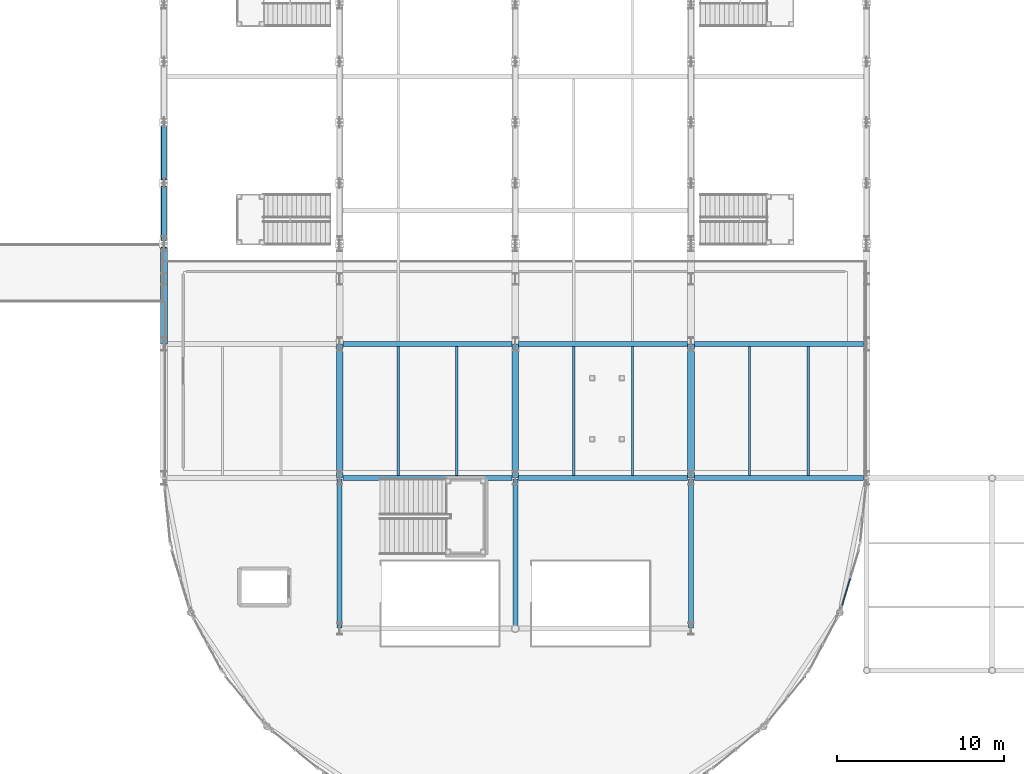
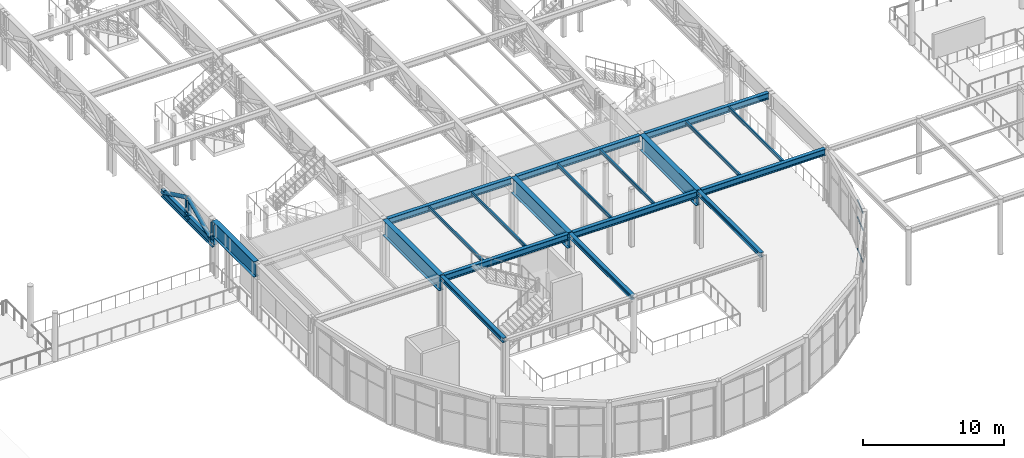
# One storey, part 33 of 143: 19 beams, 9 members, 1 element without a shape of its own.
"""IFC4 building model written with IfcOpenShell, lengths in metres."""

from ifc_helpers import new_model, si_unit, direction, frame, origin, origin_2d, place, context, subcontext, project, spatial, hollow_rectangle, hollow_circle, i_section, extrude, material, layer, layer_set, material_profile, profile_set, type_object, element, aggregate, save


model = new_model("IFC4")

# Units and contexts
model_context = context("Model", 3, precision=1e-05, world=origin(), true_north=direction((0.0, 1.0)))
body_context = subcontext(model_context, "Body", "Model", "MODEL_VIEW")
ifc_project = project(units=[si_unit("LENGTHUNIT", "METRE"), si_unit("AREAUNIT", "SQUARE_METRE"), si_unit("VOLUMEUNIT", "CUBIC_METRE"), si_unit("PLANEANGLEUNIT", "RADIAN"), si_unit("MASSUNIT", "GRAM", prefix="KILO")], contexts=[model_context])

# Site, building, storey
site_placement = place(None, origin())
site = spatial("IfcSite", under=ifc_project, at=site_placement, CompositionType="ELEMENT")
building_placement = place(site_placement, origin())
building = spatial("IfcBuilding", under=site, at=building_placement, Name="Marlcrest Central Station", CompositionType="ELEMENT")
storey_placement = place(building_placement, frame((0.0, 0.0, 4.800048828125)))
storey = spatial("IfcBuildingStorey", under=building, at=storey_placement, Name="L01", CompositionType="ELEMENT", Elevation=4.800048828125)

# Beams
ifc_material_1 = material(Name="Steel S355", Category="steel")
ifc_material_profile_1 = material_profile(ifc_material_1, i_section(OverallWidth=0.300048828125, OverallDepth=0.389892578125, WebThickness=0.010986328125, FlangeThickness=0.01904296875, FilletRadius=0.027099609375, at=origin_2d()), Name="HEA 400")
ifc_profile_set_1 = profile_set([ifc_material_profile_1], Name="Steel S355")
beam_type_1 = type_object("IfcBeamType", Name="BM-08", PredefinedType="BEAM", material=ifc_profile_set_1)
for number, where, z_axis, x_axis, name in (
    (1, (97.5, 13.550048828125, 4.619873046875), (0.0, 1.0, 0.0), (-1.0, 0.0, 0.0), "bm-BM-08-L01-01367"),
    (2, (108.0, 13.550048828125, 4.619873046875), (0.0, 1.0, 0.0), (-1.0, 0.0, 0.0), "bm-BM-08-L01-01368"),
    (3, (118.5, 13.550048828125, 4.619873046875), (0.0, 1.0, 0.0), (-1.0, 0.0, 0.0), "bm-BM-08-L01-01369"),
):
    element("IfcBeam", number, at=place(storey_placement, frame(where, z_axis=z_axis, x_axis=x_axis)), inside=storey, type_object=beam_type_1, Name=name, PredefinedType="BEAM", context=body_context, shape_type="SweptSolid", body=[
        extrude(i_section(OverallWidth=0.300048828125, OverallDepth=0.389892578125, WebThickness=0.010986328125, FlangeThickness=0.01904296875, FilletRadius=0.027099609375, at=origin_2d()), origin(), (0.0, 0.0, 1.0), 8.89990234375),
    ])
ifc_material_profile_2 = material_profile(ifc_material_1, i_section(OverallWidth=0.300048828125, OverallDepth=0.550048828125, WebThickness=0.014892578125, FlangeThickness=0.029052734375, FilletRadius=0.027099609375, at=origin_2d()), Name="HEB 550")
ifc_profile_set_2 = profile_set([ifc_material_profile_2], Name="Steel S355")
beam_type_2 = type_object("IfcBeamType", Name="BM-11", PredefinedType="BEAM", material=ifc_profile_set_2)
for number, where, z_axis, x_axis, name in (
    (4, (97.695068359375, 22.5, 4.5400390625), (1.0, 0.0, 0.0), (0.0, 1.0, 0.0), "bm-BM-11-L01-01164"),
    (5, (108.195068359375, 22.5, 4.5400390625), (1.0, 0.0, 0.0), (0.0, 1.0, 0.0), "bm-BM-11-L01-01165"),
    (6, (118.695068359375, 22.5, 4.5400390625), (1.0, 0.0, 0.0), (0.0, 1.0, 0.0), "bm-BM-11-L01-01166"),
    (7, (97.695068359375, 30.5, 4.5400390625), (1.0, 0.0, 0.0), (0.0, 1.0, 0.0), "bm-BM-11-L01-01171"),
    (8, (108.195068359375, 30.5, 4.5400390625), (1.0, 0.0, 0.0), (0.0, 1.0, 0.0), "bm-BM-11-L01-01172"),
    (9, (118.695068359375, 30.5, 4.5400390625), (1.0, 0.0, 0.0), (0.0, 1.0, 0.0), "bm-BM-11-L01-01173"),
):
    element("IfcBeam", number, at=place(storey_placement, frame(where, z_axis=z_axis, x_axis=x_axis)), inside=storey, type_object=beam_type_2, Name=name, PredefinedType="BEAM", context=body_context, shape_type="SweptSolid", body=[
        extrude(i_section(OverallWidth=0.300048828125, OverallDepth=0.550048828125, WebThickness=0.014892578125, FlangeThickness=0.029052734375, FilletRadius=0.027099609375, at=origin_2d()), origin(), (0.0, 0.0, 1.0), 10.10986328125),
    ])
ifc_material_profile_3 = material_profile(ifc_material_1, i_section(OverallWidth=0.135009765625, OverallDepth=0.27001953125, WebThickness=0.006591796875, FlangeThickness=0.01025390625, FilletRadius=0.014892578125, at=origin_2d()), Name="IPE 270")
ifc_profile_set_3 = profile_set([ifc_material_profile_3], Name="Steel S355")
beam_type_3 = type_object("IfcBeamType", Name="JS-04", PredefinedType="JOIST", material=ifc_profile_set_3)
for number, where, z_axis, x_axis, name in (
    (10, (101.0, 22.64794921875, 4.679931640625), (0.0, 1.0, 0.0), (-1.0, 0.0, 0.0), "bm-JS-04-L01-01240"),
    (11, (104.5, 22.64794921875, 4.679931640625), (0.0, 1.0, 0.0), (-1.0, 0.0, 0.0), "bm-JS-04-L01-01241"),
    (12, (111.5, 22.64794921875, 4.679931640625), (0.0, 1.0, 0.0), (-1.0, 0.0, 0.0), "bm-JS-04-L01-01242"),
    (13, (115.0, 22.64794921875, 4.679931640625), (0.0, 1.0, 0.0), (-1.0, 0.0, 0.0), "bm-JS-04-L01-01243"),
    (14, (122.0, 22.64794921875, 4.679931640625), (0.0, 1.0, 0.0), (-1.0, 0.0, 0.0), "bm-JS-04-L01-01244"),
    (15, (125.5, 22.64794921875, 4.679931640625), (0.0, 1.0, 0.0), (-1.0, 0.0, 0.0), "bm-JS-04-L01-01245"),
):
    element("IfcBeam", number, at=place(storey_placement, frame(where, z_axis=z_axis, x_axis=x_axis)), inside=storey, type_object=beam_type_3, Name=name, PredefinedType="JOIST", context=body_context, shape_type="SweptSolid", body=[
        extrude(i_section(OverallWidth=0.135009765625, OverallDepth=0.27001953125, WebThickness=0.006591796875, FlangeThickness=0.01025390625, FilletRadius=0.014892578125, at=origin_2d()), origin(), (0.0, 0.0, 1.0), 7.7041015625),
    ])

# Members
ifc_material_profile_4 = material_profile(ifc_material_1, i_section(OverallWidth=0.300048828125, OverallDepth=0.64990234375, WebThickness=0.01611328125, FlangeThickness=0.031005859375, FilletRadius=0.027099609375, at=origin_2d()), Name="HEB 650")
ifc_profile_set_4 = profile_set([ifc_material_profile_4], Name="Steel S355")
member_type_1 = type_object("IfcMemberType", Name="TC-01", PredefinedType="CHORD", material=ifc_profile_set_4)
for number, where, z_axis, x_axis, name in (
    (16, (87.0, 36.5, 2.744873046875), (0.0, 1.0, 0.0), (-1.0, 0.0, 0.0), "mem-TC-01-L01-02119"),
    (17, (87.0, 40.125, 2.744873046875), (0.0, 1.0, 0.0), (-1.0, 0.0, 0.0), "mem-TC-01-L01-02122"),
):
    element("IfcMember", number, at=place(storey_placement, frame(where, z_axis=z_axis, x_axis=x_axis)), inside=storey, type_object=member_type_1, Name=name, PredefinedType="CHORD", context=body_context, shape_type="SweptSolid", body=[
        extrude(i_section(OverallWidth=0.300048828125, OverallDepth=0.64990234375, WebThickness=0.01611328125, FlangeThickness=0.031005859375, FilletRadius=0.027099609375, at=origin_2d()), origin(), (0.0, 0.0, 1.0), 3.625),
    ])
ifc_material_profile_5 = material_profile(ifc_material_1, hollow_circle(Radius=0.161865234375, WallThickness=0.01611328125, at=origin_2d()), Name="CHS 323.9x16")
ifc_profile_set_5 = profile_set([ifc_material_profile_5], Name="Steel S355")
member_type_2 = type_object("IfcMemberType", Name="TD-01", PredefinedType="BRACE", material=ifc_profile_set_5)
for number, where, z_axis, x_axis, name in (
    (18, (87.0, 36.5, 2.744873046875), (0.0, 0.900551636365, 0.434749065831), (-1.0, 0.0, 0.0), "mem-TD-01-L01-02121"),
    (19, (87.0, 40.125, 4.494873046875), (0.0, 0.900551636365, -0.434749065831), (-1.0, 0.0, 0.0), "mem-TD-01-L01-02124"),
):
    element("IfcMember", number, at=place(storey_placement, frame(where, z_axis=z_axis, x_axis=x_axis)), inside=storey, type_object=member_type_2, Name=name, PredefinedType="BRACE", context=body_context, shape_type="SweptSolid", body=[
        extrude(hollow_circle(Radius=0.161865234375, WallThickness=0.01611328125, at=origin_2d()), origin(), (0.0, 0.0, 1.0), 4.025390625),
    ])

# Beams
ifc_material_profile_6 = material_profile(ifc_material_1, i_section(OverallWidth=0.39990234375, OverallDepth=1.35009765625, WebThickness=0.02197265625, FlangeThickness=0.034912109375, at=origin_2d()), Name="PG 1350x400")
ifc_profile_set_6 = profile_set([ifc_material_profile_6], Name="Steel S355")
beam_type_4 = type_object("IfcBeamType", Name="TG-01", PredefinedType="USERDEFINED", material=ifc_profile_set_6)
for number, where, z_axis, x_axis, name in (
    (20, (97.5, 22.52001953125, 4.139892578125), (0.0, 1.0, 0.0), (-1.0, 0.0, 0.0), "bm-TG-01-L01-01233"),
    (21, (108.0, 22.52001953125, 4.139892578125), (0.0, 1.0, 0.0), (-1.0, 0.0, 0.0), "bm-TG-01-L01-01234"),
    (22, (118.5, 22.52001953125, 4.139892578125), (0.0, 1.0, 0.0), (-1.0, 0.0, 0.0), "bm-TG-01-L01-01235"),
):
    element("IfcBeam", number, at=place(storey_placement, frame(where, z_axis=z_axis, x_axis=x_axis)), inside=storey, type_object=beam_type_4, Name=name, ObjectType="TRANSFER_GIRDER", PredefinedType="USERDEFINED", context=body_context, shape_type="SweptSolid", body=[
        extrude(i_section(OverallWidth=0.39990234375, OverallDepth=1.35009765625, WebThickness=0.02197265625, FlangeThickness=0.034912109375, at=origin_2d()), origin(), (0.0, 0.0, 1.0), 7.9599609375),
    ])
beam_placement = place(storey_placement, frame((87.0, 30.52001953125, 4.139892578125), z_axis=(0.0, 1.0, 0.0), x_axis=(-1.0, 0.0, 0.0)))
element("IfcBeam", 23, at=beam_placement, inside=storey, type_object=beam_type_4, Name="bm-TG-01-L01-01246", ObjectType="TRANSFER_GIRDER", PredefinedType="USERDEFINED", context=body_context, shape_type="SweptSolid", body=[
    extrude(i_section(OverallWidth=0.39990234375, OverallDepth=1.35009765625, WebThickness=0.02197265625, FlangeThickness=0.034912109375, at=origin_2d()), origin(), (0.0, 0.0, 1.0), 5.8798828125),
])

# Members
ifc_material_profile_7 = material_profile(ifc_material_1, i_section(OverallWidth=0.300048828125, OverallDepth=0.449951171875, WebThickness=0.013916015625, FlangeThickness=0.02587890625, FilletRadius=0.027099609375, at=origin_2d()), Name="HEB 450")
ifc_profile_set_7 = profile_set([ifc_material_profile_7], Name="Steel S355")
member_type_3 = type_object("IfcMemberType", Name="TP-01", PredefinedType="POST", material=ifc_profile_set_7)
for number, where, z_axis, x_axis, name in (
    (24, (87.0, 36.5, 2.744873046875), (0.0, 0.0, 1.0), (1.0, 0.0, 0.0), "mem-TP-01-L01-02120"),
    (25, (87.0, 40.125, 2.744873046875), (0.0, 0.0, 1.0), (1.0, 0.0, 0.0), "mem-TP-01-L01-02123"),
):
    element("IfcMember", number, at=place(storey_placement, frame(where, z_axis=z_axis, x_axis=x_axis)), inside=storey, type_object=member_type_3, Name=name, PredefinedType="POST", context=body_context, shape_type="SweptSolid", body=[
        extrude(i_section(OverallWidth=0.300048828125, OverallDepth=0.449951171875, WebThickness=0.013916015625, FlangeThickness=0.02587890625, FilletRadius=0.027099609375, at=origin_2d()), origin(), (0.0, 0.0, 1.0), 1.75),
    ])

# Curtain wall, members
ifc_material_2 = material(Name="Anodised aluminium and hurricane laminated glass", Category="aluminium")
ifc_layer = layer(ifc_material_2, 0.219970703125, Name="CW-U1")
ifc_layer_set = layer_set([ifc_layer], Name="Anodised aluminium and hurricane laminated glass")
curtain_wall_type = type_object("IfcCurtainWallType", Name="CW-U1", PredefinedType="USERDEFINED", material=ifc_layer_set)
curtain_wall_placement = place(storey_placement, origin())
curtain_wall = element("IfcCurtainWall", 26, at=curtain_wall_placement, inside=storey, type_object=curtain_wall_type, Name="cw-L01-0023", ObjectType="UNITISED_CURTAIN_WALL", PredefinedType="USERDEFINED")
ifc_material_3 = material(Name="Anodised aluminium 6063-T6", Category="aluminium")
ifc_material_profile_8 = material_profile(ifc_material_3, hollow_rectangle(XDim=0.06005859375, YDim=0.14990234375, WallThickness=0.00390625, at=origin_2d()), Name="AA-RHS 150x60x4")
ifc_profile_set_8 = profile_set([ifc_material_profile_8], Name="Anodised aluminium 6063-T6")
member_type_4 = type_object("IfcMemberType", Name="TR-01", PredefinedType="USERDEFINED", material=ifc_profile_set_8)
member_1_placement = place(storey_placement, frame((128.01611328125, 16.491943359375, 0.0400390625), z_axis=(-0.29025787087, -0.95694846695, 0.0), x_axis=(0.95694846695, -0.29025787087, 0.0)))
member_1 = element("IfcMember", 27, at=member_1_placement, type_object=member_type_4, Name="cw-L01-0023-tr-1-sill", ObjectType="TRANSOM", PredefinedType="USERDEFINED", context=body_context, shape_type="SweptSolid", body=[
    extrude(hollow_rectangle(XDim=0.06005859375, YDim=0.14990234375, WallThickness=0.00390625, at=origin_2d()), origin(), (0.0, 0.0, 1.0), 1.67724609375),
])
member_2_placement = place(storey_placement, frame((128.01611328125, 16.491943359375, 2.794921875), z_axis=(-0.29025787087, -0.95694846695, 0.0), x_axis=(0.95694846695, -0.29025787087, 0.0)))
member_2 = element("IfcMember", 28, at=member_2_placement, type_object=member_type_4, Name="cw-L01-0023-tr-1-mid", ObjectType="TRANSOM", PredefinedType="USERDEFINED", context=body_context, shape_type="SweptSolid", body=[
    extrude(hollow_rectangle(XDim=0.06005859375, YDim=0.14990234375, WallThickness=0.00390625, at=origin_2d()), origin(), (0.0, 0.0, 1.0), 1.67724609375),
])
member_3_placement = place(storey_placement, frame((128.01611328125, 16.491943359375, 4.260009765625), z_axis=(-0.29025787087, -0.95694846695, 0.0), x_axis=(0.95694846695, -0.29025787087, 0.0)))
member_3 = element("IfcMember", 29, at=member_3_placement, type_object=member_type_4, Name="cw-L01-0023-tr-1-head", ObjectType="TRANSOM", PredefinedType="USERDEFINED", context=body_context, shape_type="SweptSolid", body=[
    extrude(hollow_rectangle(XDim=0.06005859375, YDim=0.14990234375, WallThickness=0.00390625, at=origin_2d()), origin(), (0.0, 0.0, 1.0), 1.67724609375),
])
aggregate(curtain_wall, [member_1, member_2, member_3])

save(model, "model.ifc")
